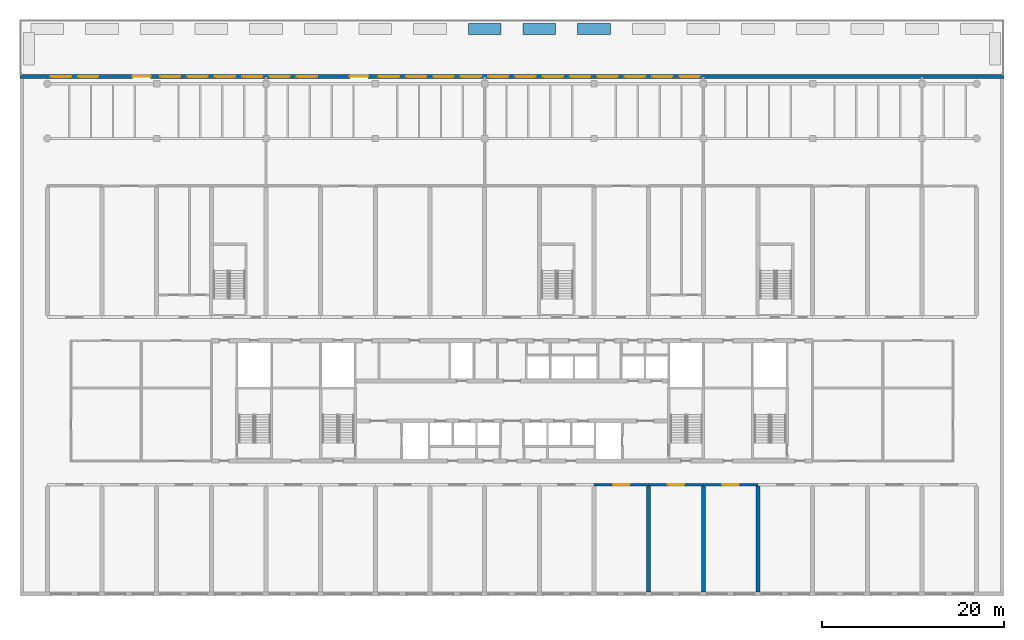
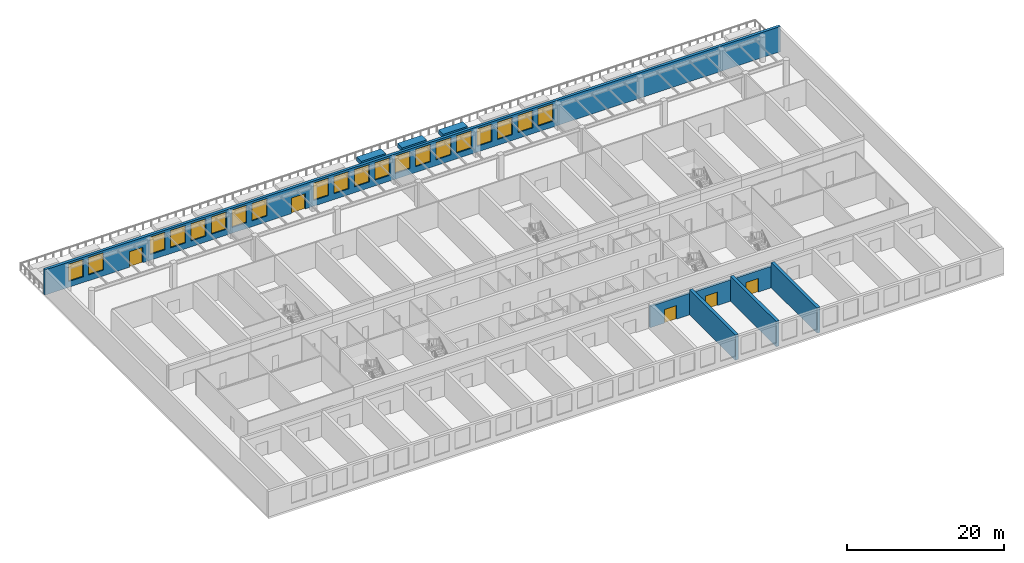
# One storey, part 9 of 16: 20 windows, 10 walls, 5 doors, 25 openings.
"""IFC4 building model written with IfcOpenShell, lengths in metres."""

from ifc_helpers import new_model, si_unit, direction, frame, frame_2d, origin, place, context, subcontext, project, spatial, polyline, rectangle, outline, extrude, source, transform, mapped, material, layer, layer_set, type_object, element, fill, save


model = new_model("IFC4")

# Units and contexts
model_context = context("Model", 3, precision=1e-05, world=origin(), true_north=direction((0.0, 1.0)))
body_context = subcontext(model_context, "Body", "Model", "MODEL_VIEW")
ifc_project = project(units=[si_unit("LENGTHUNIT", "METRE"), si_unit("AREAUNIT", "SQUARE_METRE"), si_unit("VOLUMEUNIT", "CUBIC_METRE"), si_unit("PLANEANGLEUNIT", "RADIAN"), si_unit("MASSUNIT", "GRAM", prefix="KILO")], contexts=[model_context])

# Site, building, storey
site_placement = place(None, origin())
site = spatial("IfcSite", under=ifc_project, at=site_placement, CompositionType="ELEMENT")
building_placement = place(site_placement, origin())
building = spatial("IfcBuilding", under=site, at=building_placement, Name="Poui Terraces", CompositionType="ELEMENT")
storey_placement = place(building_placement, frame((0.0, 0.0, 15.0)))
storey = spatial("IfcBuildingStorey", under=building, at=storey_placement, Name="L03", CompositionType="ELEMENT", Elevation=15.0)

# Wall, opening, door
ifc_material_1 = material(Name="Concrete 80 MPa", Category="concrete")
ifc_layer_1 = layer(ifc_material_1, 0.300048828125)
ifc_layer_set_1 = layer_set([ifc_layer_1], Name="Concrete 80 MPa")
wall_type_1 = type_object("IfcWallType", Name="CORRIDOR WALL 300 80MPa", PredefinedType="SHEAR", material=ifc_layer_set_1)
wall_1_placement = place(storey_placement, frame((60.0, 12.0, 0.0), z_axis=(0.0, 0.0, 1.0), x_axis=(1.0, 0.0, 0.0)))
wall_1 = element("IfcWall", 1, at=wall_1_placement, inside=storey, type_object=wall_type_1, Name="CORRIDOR WALL LINE B BAY 11", PredefinedType="SHEAR", context=body_context, shape_type="SweptSolid", body=[
    extrude(rectangle(XDim=6.0, YDim=0.300048828125, at=frame_2d((3.0, 0.0))), origin(), (0.0, 0.0, 1.0), 3.320068359375),
])
opening_1_placement = place(wall_1_placement, frame((2.10009765625, 0.0, 0.0)))
opening_1 = element("IfcOpeningElement", 2, at=opening_1_placement, cuts=wall_1, Name="Opening DD180", PredefinedType="OPENING", context=body_context, shape_type="SweptSolid", body=[
    extrude(rectangle(XDim=1.800048828125, YDim=2.10009765625, at=frame_2d((0.89990234375, 1.050048828125))), frame((0.0, 0.16015625, 0.0), z_axis=(0.0, -1.0, 0.0), x_axis=(1.0, 0.0, 0.0)), (0.0, 0.0, 1.0), 0.320068359375),
])
ifc_material_2 = material(Name="Steel fire door", Category="steel")
door_type_1 = type_object("IfcDoorType", Name="DOUBLE INTERNAL DOOR 1800 X 2100", OperationType="DOUBLE_DOOR_SINGLE_SWING", PredefinedType="DOOR", material=ifc_material_2)
door_1_placement = place(opening_1_placement, origin())
door_1 = element("IfcDoor", 3, at=door_1_placement, inside=storey, type_object=door_type_1, Name="DOUBLE INTERNAL DOOR 062", OperationType="DOUBLE_DOOR_SINGLE_SWING", OverallHeight=2.10009765625, OverallWidth=1.800048828125, PredefinedType="DOOR", context=body_context, shape_type="SweptSolid", body=[
    extrude(rectangle(XDim=1.800048828125, YDim=2.10009765625, at=frame_2d((0.89990234375, 1.050048828125))), frame((0.0, 0.02490234375, 0.0), z_axis=(0.0, -1.0, 0.0), x_axis=(1.0, 0.0, 0.0)), (0.0, 0.0, 1.0), 0.050048828125),
])
fill(opening_1, door_1)

wall_2_placement = place(storey_placement, frame((66.0, 12.0, 0.0), z_axis=(0.0, 0.0, 1.0), x_axis=(1.0, 0.0, 0.0)))
wall_2 = element("IfcWall", 4, at=wall_2_placement, inside=storey, type_object=wall_type_1, Name="CORRIDOR WALL LINE B BAY 12", PredefinedType="SHEAR", context=body_context, shape_type="SweptSolid", body=[
    extrude(rectangle(XDim=6.0, YDim=0.300048828125, at=frame_2d((3.0, 0.0))), origin(), (0.0, 0.0, 1.0), 3.320068359375),
])
opening_2_placement = place(wall_2_placement, frame((2.10009765625, 0.0, 0.0)))
opening_2 = element("IfcOpeningElement", 5, at=opening_2_placement, cuts=wall_2, Name="Opening DD180", PredefinedType="OPENING", context=body_context, shape_type="SweptSolid", body=[
    extrude(rectangle(XDim=1.800048828125, YDim=2.10009765625, at=frame_2d((0.89990234375, 1.050048828125))), frame((0.0, 0.16015625, 0.0), z_axis=(0.0, -1.0, 0.0), x_axis=(1.0, 0.0, 0.0)), (0.0, 0.0, 1.0), 0.320068359375),
])
door_2_placement = place(opening_2_placement, origin())
door_2 = element("IfcDoor", 6, at=door_2_placement, inside=storey, type_object=door_type_1, Name="DOUBLE INTERNAL DOOR 063", OperationType="DOUBLE_DOOR_SINGLE_SWING", OverallHeight=2.10009765625, OverallWidth=1.800048828125, PredefinedType="DOOR", context=body_context, shape_type="SweptSolid", body=[
    extrude(rectangle(XDim=1.800048828125, YDim=2.10009765625, at=frame_2d((0.89990234375, 1.050048828125))), frame((0.0, 0.02490234375, 0.0), z_axis=(0.0, -1.0, 0.0), x_axis=(1.0, 0.0, 0.0)), (0.0, 0.0, 1.0), 0.050048828125),
])
fill(opening_2, door_2)

wall_3_placement = place(storey_placement, frame((72.0, 12.0, 0.0), z_axis=(0.0, 0.0, 1.0), x_axis=(1.0, 0.0, 0.0)))
wall_3 = element("IfcWall", 7, at=wall_3_placement, inside=storey, type_object=wall_type_1, Name="CORRIDOR WALL LINE B BAY 13", PredefinedType="SHEAR", context=body_context, shape_type="SweptSolid", body=[
    extrude(rectangle(XDim=6.0, YDim=0.300048828125, at=frame_2d((3.0, 0.0))), origin(), (0.0, 0.0, 1.0), 3.320068359375),
])
opening_3_placement = place(wall_3_placement, frame((2.10009765625, 0.0, 0.0)))
opening_3 = element("IfcOpeningElement", 8, at=opening_3_placement, cuts=wall_3, Name="Opening DD180", PredefinedType="OPENING", context=body_context, shape_type="SweptSolid", body=[
    extrude(rectangle(XDim=1.800048828125, YDim=2.10009765625, at=frame_2d((0.89990234375, 1.050048828125))), frame((0.0, 0.16015625, 0.0), z_axis=(0.0, -1.0, 0.0), x_axis=(1.0, 0.0, 0.0)), (0.0, 0.0, 1.0), 0.320068359375),
])
door_3_placement = place(opening_3_placement, origin())
door_3 = element("IfcDoor", 9, at=door_3_placement, inside=storey, type_object=door_type_1, Name="DOUBLE INTERNAL DOOR 066", OperationType="DOUBLE_DOOR_SINGLE_SWING", OverallHeight=2.10009765625, OverallWidth=1.800048828125, PredefinedType="DOOR", context=body_context, shape_type="SweptSolid", body=[
    extrude(rectangle(XDim=1.800048828125, YDim=2.10009765625, at=frame_2d((0.89990234375, 1.050048828125))), frame((0.0, 0.02490234375, 0.0), z_axis=(0.0, -1.0, 0.0), x_axis=(1.0, 0.0, 0.0)), (0.0, 0.0, 1.0), 0.050048828125),
])
fill(opening_3, door_3)

# Walls
ifc_layer_2 = layer(ifc_material_1, 0.449951171875)
ifc_layer_set_2 = layer_set([ifc_layer_2], Name="Concrete 80 MPa")
wall_type_2 = type_object("IfcWallType", Name="CROSS WALL 450 80MPa", PredefinedType="SHEAR", material=ifc_layer_set_2)
for number, where, z_axis, x_axis, name in (
    (10, (66.0, 0.199951171875, 0.0), (0.0, 0.0, 1.0), (0.0, 1.0, 0.0), "CROSS WALL LINE 12 SOUTH"),
    (11, (72.0, 0.199951171875, 0.0), (0.0, 0.0, 1.0), (0.0, 1.0, 0.0), "CROSS WALL LINE 13 SOUTH"),
    (12, (78.0, 0.199951171875, 0.0), (0.0, 0.0, 1.0), (0.0, 1.0, 0.0), "CROSS WALL LINE 14 SOUTH"),
):
    element("IfcWall", number, at=place(storey_placement, frame(where, z_axis=z_axis, x_axis=x_axis)), inside=storey, type_object=wall_type_2, Name=name, PredefinedType="SHEAR", context=body_context, shape_type="SweptSolid", body=[
        extrude(rectangle(XDim=11.650146484375, YDim=0.449951171875, at=frame_2d((5.8251953125, 0.0))), origin(), (0.0, 0.0, 1.0), 3.919921875),
    ])

# Wall, openings, doors, windows
ifc_material_3 = material(Name="Precast concrete 40 MPa", Category="concrete")
ifc_layer_3 = layer(ifc_material_3, 0.39990234375)
ifc_layer_set_3 = layer_set([ifc_layer_3], Name="Precast concrete 40 MPa")
wall_type_3 = type_object("IfcWallType", Name="EXTERNAL WALL 400", PredefinedType="STANDARD", material=ifc_layer_set_3)
wall_4_placement = place(storey_placement, frame((105.0, 56.800048828125, 0.0), z_axis=(0.0, 0.0, 1.0), x_axis=(-1.0, 0.0, 0.0)))
wall_4 = element("IfcWall", 13, at=wall_4_placement, inside=storey, type_object=wall_type_3, Name="EXTERNAL WALL N", PredefinedType="STANDARD", context=body_context, shape_type="SweptSolid", body=[
    extrude(rectangle(XDim=108.0, YDim=0.39990234375, at=frame_2d((54.0, 0.0))), origin(), (0.0, 0.0, 1.0), 3.919921875),
])
opening_4_placement = place(wall_4_placement, frame((102.39990234375, 0.0, 0.89990234375)))
opening_4 = element("IfcOpeningElement", 14, at=opening_4_placement, cuts=wall_4, Name="Opening W4", PredefinedType="OPENING", context=body_context, shape_type="SweptSolid", body=[
    extrude(rectangle(XDim=2.199951171875, YDim=2.699951171875, at=frame_2d((1.10009765625, 1.35009765625))), frame((0.0, 0.2099609375, 0.0), z_axis=(0.0, -1.0, 0.0), x_axis=(1.0, 0.0, 0.0)), (0.0, 0.0, 1.0), 0.419921875),
])
opening_5_placement = place(wall_4_placement, frame((99.39990234375, 0.0, 0.89990234375)))
opening_5 = element("IfcOpeningElement", 15, at=opening_5_placement, cuts=wall_4, Name="Opening W4", PredefinedType="OPENING", context=body_context, shape_type="SweptSolid", body=[
    extrude(rectangle(XDim=2.199951171875, YDim=2.699951171875, at=frame_2d((1.10009765625, 1.35009765625))), frame((0.0, 0.2099609375, 0.0), z_axis=(0.0, -1.0, 0.0), x_axis=(1.0, 0.0, 0.0)), (0.0, 0.0, 1.0), 0.419921875),
])
opening_6_placement = place(wall_4_placement, frame((90.39990234375, 0.0, 0.89990234375)))
opening_6 = element("IfcOpeningElement", 16, at=opening_6_placement, cuts=wall_4, Name="Opening W4", PredefinedType="OPENING", context=body_context, shape_type="SweptSolid", body=[
    extrude(rectangle(XDim=2.199951171875, YDim=2.699951171875, at=frame_2d((1.10009765625, 1.35009765625))), frame((0.0, 0.2099609375, 0.0), z_axis=(0.0, -1.0, 0.0), x_axis=(1.0, 0.0, 0.0)), (0.0, 0.0, 1.0), 0.419921875),
])
opening_7_placement = place(wall_4_placement, frame((87.39990234375, 0.0, 0.89990234375)))
opening_7 = element("IfcOpeningElement", 17, at=opening_7_placement, cuts=wall_4, Name="Opening W4", PredefinedType="OPENING", context=body_context, shape_type="SweptSolid", body=[
    extrude(rectangle(XDim=2.199951171875, YDim=2.699951171875, at=frame_2d((1.10009765625, 1.35009765625))), frame((0.0, 0.2099609375, 0.0), z_axis=(0.0, -1.0, 0.0), x_axis=(1.0, 0.0, 0.0)), (0.0, 0.0, 1.0), 0.419921875),
])
opening_8_placement = place(wall_4_placement, frame((84.39990234375, 0.0, 0.89990234375)))
opening_8 = element("IfcOpeningElement", 18, at=opening_8_placement, cuts=wall_4, Name="Opening W4", PredefinedType="OPENING", context=body_context, shape_type="SweptSolid", body=[
    extrude(rectangle(XDim=2.199951171875, YDim=2.699951171875, at=frame_2d((1.10009765625, 1.35009765625))), frame((0.0, 0.2099609375, 0.0), z_axis=(0.0, -1.0, 0.0), x_axis=(1.0, 0.0, 0.0)), (0.0, 0.0, 1.0), 0.419921875),
])
opening_9_placement = place(wall_4_placement, frame((81.39990234375, 0.0, 0.89990234375)))
opening_9 = element("IfcOpeningElement", 19, at=opening_9_placement, cuts=wall_4, Name="Opening W4", PredefinedType="OPENING", context=body_context, shape_type="SweptSolid", body=[
    extrude(rectangle(XDim=2.199951171875, YDim=2.699951171875, at=frame_2d((1.10009765625, 1.35009765625))), frame((0.0, 0.2099609375, 0.0), z_axis=(0.0, -1.0, 0.0), x_axis=(1.0, 0.0, 0.0)), (0.0, 0.0, 1.0), 0.419921875),
])
opening_10_placement = place(wall_4_placement, frame((78.39990234375, 0.0, 0.89990234375)))
opening_10 = element("IfcOpeningElement", 20, at=opening_10_placement, cuts=wall_4, Name="Opening W4", PredefinedType="OPENING", context=body_context, shape_type="SweptSolid", body=[
    extrude(rectangle(XDim=2.199951171875, YDim=2.699951171875, at=frame_2d((1.10009765625, 1.35009765625))), frame((0.0, 0.2099609375, 0.0), z_axis=(0.0, -1.0, 0.0), x_axis=(1.0, 0.0, 0.0)), (0.0, 0.0, 1.0), 0.419921875),
])
opening_11_placement = place(wall_4_placement, frame((75.39990234375, 0.0, 0.89990234375)))
opening_11 = element("IfcOpeningElement", 21, at=opening_11_placement, cuts=wall_4, Name="Opening W4", PredefinedType="OPENING", context=body_context, shape_type="SweptSolid", body=[
    extrude(rectangle(XDim=2.199951171875, YDim=2.699951171875, at=frame_2d((1.10009765625, 1.35009765625))), frame((0.0, 0.2099609375, 0.0), z_axis=(0.0, -1.0, 0.0), x_axis=(1.0, 0.0, 0.0)), (0.0, 0.0, 1.0), 0.419921875),
])
opening_12_placement = place(wall_4_placement, frame((66.39990234375, 0.0, 0.89990234375)))
opening_12 = element("IfcOpeningElement", 22, at=opening_12_placement, cuts=wall_4, Name="Opening W4", PredefinedType="OPENING", context=body_context, shape_type="SweptSolid", body=[
    extrude(rectangle(XDim=2.199951171875, YDim=2.699951171875, at=frame_2d((1.10009765625, 1.35009765625))), frame((0.0, 0.2099609375, 0.0), z_axis=(0.0, -1.0, 0.0), x_axis=(1.0, 0.0, 0.0)), (0.0, 0.0, 1.0), 0.419921875),
])
opening_13_placement = place(wall_4_placement, frame((63.39990234375, 0.0, 0.89990234375)))
opening_13 = element("IfcOpeningElement", 23, at=opening_13_placement, cuts=wall_4, Name="Opening W4", PredefinedType="OPENING", context=body_context, shape_type="SweptSolid", body=[
    extrude(rectangle(XDim=2.199951171875, YDim=2.699951171875, at=frame_2d((1.10009765625, 1.35009765625))), frame((0.0, 0.2099609375, 0.0), z_axis=(0.0, -1.0, 0.0), x_axis=(1.0, 0.0, 0.0)), (0.0, 0.0, 1.0), 0.419921875),
])
opening_14_placement = place(wall_4_placement, frame((60.39990234375, 0.0, 0.89990234375)))
opening_14 = element("IfcOpeningElement", 24, at=opening_14_placement, cuts=wall_4, Name="Opening W4", PredefinedType="OPENING", context=body_context, shape_type="SweptSolid", body=[
    extrude(rectangle(XDim=2.199951171875, YDim=2.699951171875, at=frame_2d((1.10009765625, 1.35009765625))), frame((0.0, 0.2099609375, 0.0), z_axis=(0.0, -1.0, 0.0), x_axis=(1.0, 0.0, 0.0)), (0.0, 0.0, 1.0), 0.419921875),
])
opening_15_placement = place(wall_4_placement, frame((57.39990234375, 0.0, 0.89990234375)))
opening_15 = element("IfcOpeningElement", 25, at=opening_15_placement, cuts=wall_4, Name="Opening W4", PredefinedType="OPENING", context=body_context, shape_type="SweptSolid", body=[
    extrude(rectangle(XDim=2.199951171875, YDim=2.699951171875, at=frame_2d((1.10009765625, 1.35009765625))), frame((0.0, 0.2099609375, 0.0), z_axis=(0.0, -1.0, 0.0), x_axis=(1.0, 0.0, 0.0)), (0.0, 0.0, 1.0), 0.419921875),
])
opening_16_placement = place(wall_4_placement, frame((54.39990234375, 0.0, 0.89990234375)))
opening_16 = element("IfcOpeningElement", 26, at=opening_16_placement, cuts=wall_4, Name="Opening W4", PredefinedType="OPENING", context=body_context, shape_type="SweptSolid", body=[
    extrude(rectangle(XDim=2.199951171875, YDim=2.699951171875, at=frame_2d((1.10009765625, 1.35009765625))), frame((0.0, 0.2099609375, 0.0), z_axis=(0.0, -1.0, 0.0), x_axis=(1.0, 0.0, 0.0)), (0.0, 0.0, 1.0), 0.419921875),
])
opening_17_placement = place(wall_4_placement, frame((51.39990234375, 0.0, 0.89990234375)))
opening_17 = element("IfcOpeningElement", 27, at=opening_17_placement, cuts=wall_4, Name="Opening W4", PredefinedType="OPENING", context=body_context, shape_type="SweptSolid", body=[
    extrude(rectangle(XDim=2.199951171875, YDim=2.699951171875, at=frame_2d((1.10009765625, 1.35009765625))), frame((0.0, 0.2099609375, 0.0), z_axis=(0.0, -1.0, 0.0), x_axis=(1.0, 0.0, 0.0)), (0.0, 0.0, 1.0), 0.419921875),
])
opening_18_placement = place(wall_4_placement, frame((48.39990234375, 0.0, 0.89990234375)))
opening_18 = element("IfcOpeningElement", 28, at=opening_18_placement, cuts=wall_4, Name="Opening W4", PredefinedType="OPENING", context=body_context, shape_type="SweptSolid", body=[
    extrude(rectangle(XDim=2.199951171875, YDim=2.699951171875, at=frame_2d((1.10009765625, 1.35009765625))), frame((0.0, 0.2099609375, 0.0), z_axis=(0.0, -1.0, 0.0), x_axis=(1.0, 0.0, 0.0)), (0.0, 0.0, 1.0), 0.419921875),
])
opening_19_placement = place(wall_4_placement, frame((45.39990234375, 0.0, 0.89990234375)))
opening_19 = element("IfcOpeningElement", 29, at=opening_19_placement, cuts=wall_4, Name="Opening W4", PredefinedType="OPENING", context=body_context, shape_type="SweptSolid", body=[
    extrude(rectangle(XDim=2.199951171875, YDim=2.699951171875, at=frame_2d((1.10009765625, 1.35009765625))), frame((0.0, 0.2099609375, 0.0), z_axis=(0.0, -1.0, 0.0), x_axis=(1.0, 0.0, 0.0)), (0.0, 0.0, 1.0), 0.419921875),
])
opening_20_placement = place(wall_4_placement, frame((42.39990234375, 0.0, 0.89990234375)))
opening_20 = element("IfcOpeningElement", 30, at=opening_20_placement, cuts=wall_4, Name="Opening W4", PredefinedType="OPENING", context=body_context, shape_type="SweptSolid", body=[
    extrude(rectangle(XDim=2.199951171875, YDim=2.699951171875, at=frame_2d((1.10009765625, 1.35009765625))), frame((0.0, 0.2099609375, 0.0), z_axis=(0.0, -1.0, 0.0), x_axis=(1.0, 0.0, 0.0)), (0.0, 0.0, 1.0), 0.419921875),
])
opening_21_placement = place(wall_4_placement, frame((39.39990234375, 0.0, 0.89990234375)))
opening_21 = element("IfcOpeningElement", 31, at=opening_21_placement, cuts=wall_4, Name="Opening W4", PredefinedType="OPENING", context=body_context, shape_type="SweptSolid", body=[
    extrude(rectangle(XDim=2.199951171875, YDim=2.699951171875, at=frame_2d((1.10009765625, 1.35009765625))), frame((0.0, 0.2099609375, 0.0), z_axis=(0.0, -1.0, 0.0), x_axis=(1.0, 0.0, 0.0)), (0.0, 0.0, 1.0), 0.419921875),
])
opening_22_placement = place(wall_4_placement, frame((36.39990234375, 0.0, 0.89990234375)))
opening_22 = element("IfcOpeningElement", 32, at=opening_22_placement, cuts=wall_4, Name="Opening W4", PredefinedType="OPENING", context=body_context, shape_type="SweptSolid", body=[
    extrude(rectangle(XDim=2.199951171875, YDim=2.699951171875, at=frame_2d((1.10009765625, 1.35009765625))), frame((0.0, 0.2099609375, 0.0), z_axis=(0.0, -1.0, 0.0), x_axis=(1.0, 0.0, 0.0)), (0.0, 0.0, 1.0), 0.419921875),
])
opening_23_placement = place(wall_4_placement, frame((33.39990234375, 0.0, 0.89990234375)))
opening_23 = element("IfcOpeningElement", 33, at=opening_23_placement, cuts=wall_4, Name="Opening W4", PredefinedType="OPENING", context=body_context, shape_type="SweptSolid", body=[
    extrude(rectangle(XDim=2.199951171875, YDim=2.699951171875, at=frame_2d((1.10009765625, 1.35009765625))), frame((0.0, 0.2099609375, 0.0), z_axis=(0.0, -1.0, 0.0), x_axis=(1.0, 0.0, 0.0)), (0.0, 0.0, 1.0), 0.419921875),
])
opening_24_placement = place(wall_4_placement, frame((93.64990234375, 0.0, 0.0)))
opening_24 = element("IfcOpeningElement", 34, at=opening_24_placement, cuts=wall_4, Name="Opening XDD200", PredefinedType="OPENING", context=body_context, shape_type="SweptSolid", body=[
    extrude(rectangle(XDim=2.0, YDim=2.39990234375, at=frame_2d((1.0, 1.199951171875))), frame((0.0, 0.2099609375, 0.0), z_axis=(0.0, -1.0, 0.0), x_axis=(1.0, 0.0, 0.0)), (0.0, 0.0, 1.0), 0.419921875),
])
opening_25_placement = place(wall_4_placement, frame((69.800048828125, 0.0, 0.0)))
opening_25 = element("IfcOpeningElement", 35, at=opening_25_placement, cuts=wall_4, Name="Opening XDD200", PredefinedType="OPENING", context=body_context, shape_type="SweptSolid", body=[
    extrude(rectangle(XDim=2.0, YDim=2.39990234375, at=frame_2d((1.0, 1.199951171875))), frame((0.0, 0.2099609375, 0.0), z_axis=(0.0, -1.0, 0.0), x_axis=(1.0, 0.0, 0.0)), (0.0, 0.0, 1.0), 0.419921875),
])
ifc_material_4 = material(Name="Aluminium glazed door", Category="aluminium")
door_type_2 = type_object("IfcDoorType", Name="EXTERNAL DOUBLE DOOR 2000 X 2400", OperationType="DOUBLE_DOOR_SINGLE_SWING", PredefinedType="DOOR", material=ifc_material_4)
door_4_placement = place(opening_24_placement, frame((2.0, 0.0, 0.0), z_axis=(0.0, 0.0, 1.0), x_axis=(-1.0, 0.0, 0.0)))
door_4 = element("IfcDoor", 36, at=door_4_placement, inside=storey, type_object=door_type_2, Name="EXTERNAL DOUBLE DOOR 083", OperationType="DOUBLE_DOOR_SINGLE_SWING", OverallHeight=2.39990234375, OverallWidth=2.0, PredefinedType="DOOR", context=body_context, shape_type="SweptSolid", body=[
    extrude(rectangle(XDim=2.0, YDim=2.39990234375, at=frame_2d((1.0, 1.199951171875))), frame((0.0, 0.02490234375, 0.0), z_axis=(0.0, -1.0, 0.0), x_axis=(1.0, 0.0, 0.0)), (0.0, 0.0, 1.0), 0.050048828125),
])
fill(opening_24, door_4)
door_5_placement = place(opening_25_placement, frame((2.0, 0.0, 0.0), z_axis=(0.0, 0.0, 1.0), x_axis=(-1.0, 0.0, 0.0)))
door_5 = element("IfcDoor", 37, at=door_5_placement, inside=storey, type_object=door_type_2, Name="EXTERNAL DOUBLE DOOR 084", OperationType="DOUBLE_DOOR_SINGLE_SWING", OverallHeight=2.39990234375, OverallWidth=2.0, PredefinedType="DOOR", context=body_context, shape_type="SweptSolid", body=[
    extrude(rectangle(XDim=2.0, YDim=2.39990234375, at=frame_2d((1.0, 1.199951171875))), frame((0.0, 0.02490234375, 0.0), z_axis=(0.0, -1.0, 0.0), x_axis=(1.0, 0.0, 0.0)), (0.0, 0.0, 1.0), 0.050048828125),
])
fill(opening_25, door_5)
ifc_material_5 = material(Name="Clear glass in aluminium frame", Category="aluminium")
window_type = type_object("IfcWindowType", Name="WINDOW 2200X2700", PartitioningType="DOUBLE_PANEL_HORIZONTAL", PredefinedType="WINDOW", material=ifc_material_5)
window_1_placement = place(opening_4_placement, origin())
window_1 = element("IfcWindow", 38, at=window_1_placement, inside=storey, type_object=window_type, Name="W4 WINDOW", OverallHeight=2.699951171875, OverallWidth=2.199951171875, PartitioningType="DOUBLE_PANEL_HORIZONTAL", PredefinedType="WINDOW", context=body_context, shape_type="SweptSolid", body=[
    extrude(rectangle(XDim=2.199951171875, YDim=2.699951171875, at=frame_2d((1.10009765625, 1.35009765625))), frame((0.0, 0.030029296875, 0.0), z_axis=(0.0, -1.0, 0.0), x_axis=(1.0, 0.0, 0.0)), (0.0, 0.0, 1.0), 0.06005859375),
])
fill(opening_4, window_1)
window_2_placement = place(opening_5_placement, origin())
window_2 = element("IfcWindow", 39, at=window_2_placement, inside=storey, type_object=window_type, Name="W4 WINDOW", OverallHeight=2.699951171875, OverallWidth=2.199951171875, PartitioningType="DOUBLE_PANEL_HORIZONTAL", PredefinedType="WINDOW", context=body_context, shape_type="SweptSolid", body=[
    extrude(rectangle(XDim=2.199951171875, YDim=2.699951171875, at=frame_2d((1.10009765625, 1.35009765625))), frame((0.0, 0.030029296875, 0.0), z_axis=(0.0, -1.0, 0.0), x_axis=(1.0, 0.0, 0.0)), (0.0, 0.0, 1.0), 0.06005859375),
])
fill(opening_5, window_2)
window_3_placement = place(opening_6_placement, origin())
window_3 = element("IfcWindow", 40, at=window_3_placement, inside=storey, type_object=window_type, Name="W4 WINDOW", OverallHeight=2.699951171875, OverallWidth=2.199951171875, PartitioningType="DOUBLE_PANEL_HORIZONTAL", PredefinedType="WINDOW", context=body_context, shape_type="SweptSolid", body=[
    extrude(rectangle(XDim=2.199951171875, YDim=2.699951171875, at=frame_2d((1.10009765625, 1.35009765625))), frame((0.0, 0.030029296875, 0.0), z_axis=(0.0, -1.0, 0.0), x_axis=(1.0, 0.0, 0.0)), (0.0, 0.0, 1.0), 0.06005859375),
])
fill(opening_6, window_3)
window_4_placement = place(opening_7_placement, origin())
window_4 = element("IfcWindow", 41, at=window_4_placement, inside=storey, type_object=window_type, Name="W4 WINDOW", OverallHeight=2.699951171875, OverallWidth=2.199951171875, PartitioningType="DOUBLE_PANEL_HORIZONTAL", PredefinedType="WINDOW", context=body_context, shape_type="SweptSolid", body=[
    extrude(rectangle(XDim=2.199951171875, YDim=2.699951171875, at=frame_2d((1.10009765625, 1.35009765625))), frame((0.0, 0.030029296875, 0.0), z_axis=(0.0, -1.0, 0.0), x_axis=(1.0, 0.0, 0.0)), (0.0, 0.0, 1.0), 0.06005859375),
])
fill(opening_7, window_4)
window_5_placement = place(opening_8_placement, origin())
window_5 = element("IfcWindow", 42, at=window_5_placement, inside=storey, type_object=window_type, Name="W4 WINDOW", OverallHeight=2.699951171875, OverallWidth=2.199951171875, PartitioningType="DOUBLE_PANEL_HORIZONTAL", PredefinedType="WINDOW", context=body_context, shape_type="SweptSolid", body=[
    extrude(rectangle(XDim=2.199951171875, YDim=2.699951171875, at=frame_2d((1.10009765625, 1.35009765625))), frame((0.0, 0.030029296875, 0.0), z_axis=(0.0, -1.0, 0.0), x_axis=(1.0, 0.0, 0.0)), (0.0, 0.0, 1.0), 0.06005859375),
])
fill(opening_8, window_5)
window_6_placement = place(opening_9_placement, origin())
window_6 = element("IfcWindow", 43, at=window_6_placement, inside=storey, type_object=window_type, Name="W4 WINDOW", OverallHeight=2.699951171875, OverallWidth=2.199951171875, PartitioningType="DOUBLE_PANEL_HORIZONTAL", PredefinedType="WINDOW", context=body_context, shape_type="SweptSolid", body=[
    extrude(rectangle(XDim=2.199951171875, YDim=2.699951171875, at=frame_2d((1.10009765625, 1.35009765625))), frame((0.0, 0.030029296875, 0.0), z_axis=(0.0, -1.0, 0.0), x_axis=(1.0, 0.0, 0.0)), (0.0, 0.0, 1.0), 0.06005859375),
])
fill(opening_9, window_6)
window_7_placement = place(opening_10_placement, origin())
window_7 = element("IfcWindow", 44, at=window_7_placement, inside=storey, type_object=window_type, Name="W4 WINDOW", OverallHeight=2.699951171875, OverallWidth=2.199951171875, PartitioningType="DOUBLE_PANEL_HORIZONTAL", PredefinedType="WINDOW", context=body_context, shape_type="SweptSolid", body=[
    extrude(rectangle(XDim=2.199951171875, YDim=2.699951171875, at=frame_2d((1.10009765625, 1.35009765625))), frame((0.0, 0.030029296875, 0.0), z_axis=(0.0, -1.0, 0.0), x_axis=(1.0, 0.0, 0.0)), (0.0, 0.0, 1.0), 0.06005859375),
])
fill(opening_10, window_7)
window_8_placement = place(opening_11_placement, origin())
window_8 = element("IfcWindow", 45, at=window_8_placement, inside=storey, type_object=window_type, Name="W4 WINDOW", OverallHeight=2.699951171875, OverallWidth=2.199951171875, PartitioningType="DOUBLE_PANEL_HORIZONTAL", PredefinedType="WINDOW", context=body_context, shape_type="SweptSolid", body=[
    extrude(rectangle(XDim=2.199951171875, YDim=2.699951171875, at=frame_2d((1.10009765625, 1.35009765625))), frame((0.0, 0.030029296875, 0.0), z_axis=(0.0, -1.0, 0.0), x_axis=(1.0, 0.0, 0.0)), (0.0, 0.0, 1.0), 0.06005859375),
])
fill(opening_11, window_8)
window_9_placement = place(opening_12_placement, origin())
window_9 = element("IfcWindow", 46, at=window_9_placement, inside=storey, type_object=window_type, Name="W4 WINDOW", OverallHeight=2.699951171875, OverallWidth=2.199951171875, PartitioningType="DOUBLE_PANEL_HORIZONTAL", PredefinedType="WINDOW", context=body_context, shape_type="SweptSolid", body=[
    extrude(rectangle(XDim=2.199951171875, YDim=2.699951171875, at=frame_2d((1.10009765625, 1.35009765625))), frame((0.0, 0.030029296875, 0.0), z_axis=(0.0, -1.0, 0.0), x_axis=(1.0, 0.0, 0.0)), (0.0, 0.0, 1.0), 0.06005859375),
])
fill(opening_12, window_9)
window_10_placement = place(opening_13_placement, origin())
window_10 = element("IfcWindow", 47, at=window_10_placement, inside=storey, type_object=window_type, Name="W4 WINDOW", OverallHeight=2.699951171875, OverallWidth=2.199951171875, PartitioningType="DOUBLE_PANEL_HORIZONTAL", PredefinedType="WINDOW", context=body_context, shape_type="SweptSolid", body=[
    extrude(rectangle(XDim=2.199951171875, YDim=2.699951171875, at=frame_2d((1.10009765625, 1.35009765625))), frame((0.0, 0.030029296875, 0.0), z_axis=(0.0, -1.0, 0.0), x_axis=(1.0, 0.0, 0.0)), (0.0, 0.0, 1.0), 0.06005859375),
])
fill(opening_13, window_10)
window_11_placement = place(opening_14_placement, origin())
window_11 = element("IfcWindow", 48, at=window_11_placement, inside=storey, type_object=window_type, Name="W4 WINDOW", OverallHeight=2.699951171875, OverallWidth=2.199951171875, PartitioningType="DOUBLE_PANEL_HORIZONTAL", PredefinedType="WINDOW", context=body_context, shape_type="SweptSolid", body=[
    extrude(rectangle(XDim=2.199951171875, YDim=2.699951171875, at=frame_2d((1.10009765625, 1.35009765625))), frame((0.0, 0.030029296875, 0.0), z_axis=(0.0, -1.0, 0.0), x_axis=(1.0, 0.0, 0.0)), (0.0, 0.0, 1.0), 0.06005859375),
])
fill(opening_14, window_11)
window_12_placement = place(opening_15_placement, origin())
window_12 = element("IfcWindow", 49, at=window_12_placement, inside=storey, type_object=window_type, Name="W4 WINDOW", OverallHeight=2.699951171875, OverallWidth=2.199951171875, PartitioningType="DOUBLE_PANEL_HORIZONTAL", PredefinedType="WINDOW", context=body_context, shape_type="SweptSolid", body=[
    extrude(rectangle(XDim=2.199951171875, YDim=2.699951171875, at=frame_2d((1.10009765625, 1.35009765625))), frame((0.0, 0.030029296875, 0.0), z_axis=(0.0, -1.0, 0.0), x_axis=(1.0, 0.0, 0.0)), (0.0, 0.0, 1.0), 0.06005859375),
])
fill(opening_15, window_12)
window_13_placement = place(opening_16_placement, origin())
window_13 = element("IfcWindow", 50, at=window_13_placement, inside=storey, type_object=window_type, Name="W4 WINDOW", OverallHeight=2.699951171875, OverallWidth=2.199951171875, PartitioningType="DOUBLE_PANEL_HORIZONTAL", PredefinedType="WINDOW", context=body_context, shape_type="SweptSolid", body=[
    extrude(rectangle(XDim=2.199951171875, YDim=2.699951171875, at=frame_2d((1.10009765625, 1.35009765625))), frame((0.0, 0.030029296875, 0.0), z_axis=(0.0, -1.0, 0.0), x_axis=(1.0, 0.0, 0.0)), (0.0, 0.0, 1.0), 0.06005859375),
])
fill(opening_16, window_13)
window_14_placement = place(opening_17_placement, origin())
window_14 = element("IfcWindow", 51, at=window_14_placement, inside=storey, type_object=window_type, Name="W4 WINDOW", OverallHeight=2.699951171875, OverallWidth=2.199951171875, PartitioningType="DOUBLE_PANEL_HORIZONTAL", PredefinedType="WINDOW", context=body_context, shape_type="SweptSolid", body=[
    extrude(rectangle(XDim=2.199951171875, YDim=2.699951171875, at=frame_2d((1.10009765625, 1.35009765625))), frame((0.0, 0.030029296875, 0.0), z_axis=(0.0, -1.0, 0.0), x_axis=(1.0, 0.0, 0.0)), (0.0, 0.0, 1.0), 0.06005859375),
])
fill(opening_17, window_14)
window_15_placement = place(opening_18_placement, origin())
window_15 = element("IfcWindow", 52, at=window_15_placement, inside=storey, type_object=window_type, Name="W4 WINDOW", OverallHeight=2.699951171875, OverallWidth=2.199951171875, PartitioningType="DOUBLE_PANEL_HORIZONTAL", PredefinedType="WINDOW", context=body_context, shape_type="SweptSolid", body=[
    extrude(rectangle(XDim=2.199951171875, YDim=2.699951171875, at=frame_2d((1.10009765625, 1.35009765625))), frame((0.0, 0.030029296875, 0.0), z_axis=(0.0, -1.0, 0.0), x_axis=(1.0, 0.0, 0.0)), (0.0, 0.0, 1.0), 0.06005859375),
])
fill(opening_18, window_15)
window_16_placement = place(opening_19_placement, origin())
window_16 = element("IfcWindow", 53, at=window_16_placement, inside=storey, type_object=window_type, Name="W4 WINDOW", OverallHeight=2.699951171875, OverallWidth=2.199951171875, PartitioningType="DOUBLE_PANEL_HORIZONTAL", PredefinedType="WINDOW", context=body_context, shape_type="SweptSolid", body=[
    extrude(rectangle(XDim=2.199951171875, YDim=2.699951171875, at=frame_2d((1.10009765625, 1.35009765625))), frame((0.0, 0.030029296875, 0.0), z_axis=(0.0, -1.0, 0.0), x_axis=(1.0, 0.0, 0.0)), (0.0, 0.0, 1.0), 0.06005859375),
])
fill(opening_19, window_16)
window_17_placement = place(opening_20_placement, origin())
window_17 = element("IfcWindow", 54, at=window_17_placement, inside=storey, type_object=window_type, Name="W4 WINDOW", OverallHeight=2.699951171875, OverallWidth=2.199951171875, PartitioningType="DOUBLE_PANEL_HORIZONTAL", PredefinedType="WINDOW", context=body_context, shape_type="SweptSolid", body=[
    extrude(rectangle(XDim=2.199951171875, YDim=2.699951171875, at=frame_2d((1.10009765625, 1.35009765625))), frame((0.0, 0.030029296875, 0.0), z_axis=(0.0, -1.0, 0.0), x_axis=(1.0, 0.0, 0.0)), (0.0, 0.0, 1.0), 0.06005859375),
])
fill(opening_20, window_17)
window_18_placement = place(opening_21_placement, origin())
window_18 = element("IfcWindow", 55, at=window_18_placement, inside=storey, type_object=window_type, Name="W4 WINDOW", OverallHeight=2.699951171875, OverallWidth=2.199951171875, PartitioningType="DOUBLE_PANEL_HORIZONTAL", PredefinedType="WINDOW", context=body_context, shape_type="SweptSolid", body=[
    extrude(rectangle(XDim=2.199951171875, YDim=2.699951171875, at=frame_2d((1.10009765625, 1.35009765625))), frame((0.0, 0.030029296875, 0.0), z_axis=(0.0, -1.0, 0.0), x_axis=(1.0, 0.0, 0.0)), (0.0, 0.0, 1.0), 0.06005859375),
])
fill(opening_21, window_18)
window_19_placement = place(opening_22_placement, origin())
window_19 = element("IfcWindow", 56, at=window_19_placement, inside=storey, type_object=window_type, Name="W4 WINDOW", OverallHeight=2.699951171875, OverallWidth=2.199951171875, PartitioningType="DOUBLE_PANEL_HORIZONTAL", PredefinedType="WINDOW", context=body_context, shape_type="SweptSolid", body=[
    extrude(rectangle(XDim=2.199951171875, YDim=2.699951171875, at=frame_2d((1.10009765625, 1.35009765625))), frame((0.0, 0.030029296875, 0.0), z_axis=(0.0, -1.0, 0.0), x_axis=(1.0, 0.0, 0.0)), (0.0, 0.0, 1.0), 0.06005859375),
])
fill(opening_22, window_19)
window_20_placement = place(opening_23_placement, origin())
window_20 = element("IfcWindow", 57, at=window_20_placement, inside=storey, type_object=window_type, Name="W4 WINDOW", OverallHeight=2.699951171875, OverallWidth=2.199951171875, PartitioningType="DOUBLE_PANEL_HORIZONTAL", PredefinedType="WINDOW", context=body_context, shape_type="SweptSolid", body=[
    extrude(rectangle(XDim=2.199951171875, YDim=2.699951171875, at=frame_2d((1.10009765625, 1.35009765625))), frame((0.0, 0.030029296875, 0.0), z_axis=(0.0, -1.0, 0.0), x_axis=(1.0, 0.0, 0.0)), (0.0, 0.0, 1.0), 0.06005859375),
])
fill(opening_23, window_20)

# Walls
ifc_layer_4 = layer(ifc_material_3, 1.199951171875)
ifc_layer_set_4 = layer_set([ifc_layer_4], Name="Precast concrete 40 MPa")
wall_type_4 = type_object("IfcWallType", Name="PLANTER 600", PredefinedType="USERDEFINED", material=ifc_layer_set_4)
shared_shape = source(origin(), body_context, "Body", "SweptSolid", [
    extrude(outline(polyline([(0.0, 0.0), (3.60009765625, 0.0), (3.60009765625, 1.2001953125), (0.0, 1.2001953125), (0.0, 0.0)])), origin(), (0.0, 0.0, 1.0), 0.60009765625),
])
for number, where, name in (
    (58, (46.199951171875, 61.419921875, 0.0), "PLANTER"),
    (59, (52.199951171875, 61.419921875, 0.0), "PLANTER"),
    (60, (58.199951171875, 61.419921875, 0.0), "PLANTER"),
):
    element("IfcWall", number, at=place(storey_placement, frame(where)), inside=storey, type_object=wall_type_4, Name=name, ObjectType="PLANTER", PredefinedType="USERDEFINED", context=body_context, shape_type="MappedRepresentation", body=[
        mapped(shared_shape, transform((0.0, 0.0, 0.0))),
    ])

save(model, "model.ifc")
